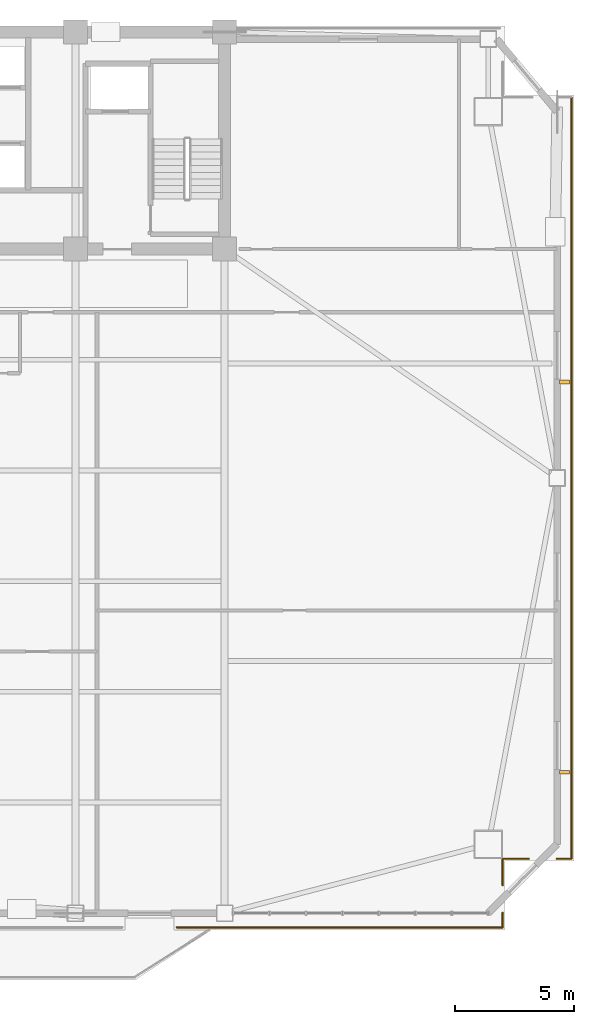
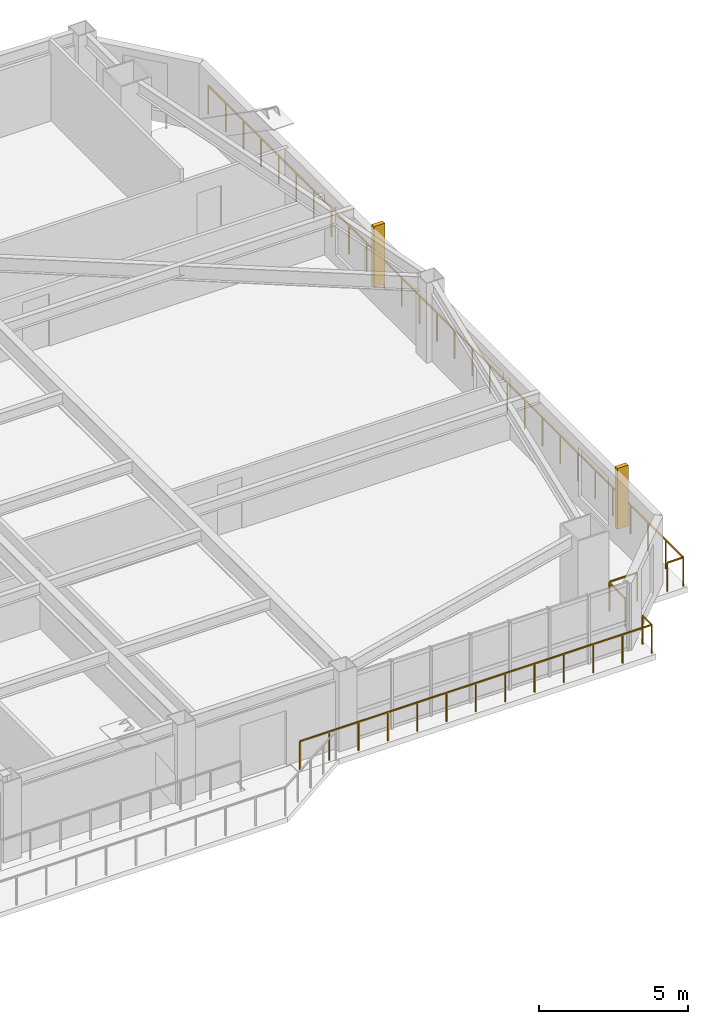
# One storey, part 13 of 15: 6 railings, 2 shading devices.
"""IFC4 building model written with IfcOpenShell, lengths in metres."""

from ifc_helpers import new_model, si_unit, direction, frame, origin, origin_2d, place, context, subcontext, project, spatial, rectangle, extrude, source, transform, mapped, material, type_object, element, save


model = new_model("IFC4")

# Units and contexts
model_context = context("Model", 3, precision=1e-05, world=origin(), true_north=direction((0.0, 1.0)))
body_context = subcontext(model_context, "Body", "Model", "MODEL_VIEW")
ifc_project = project(units=[si_unit("LENGTHUNIT", "METRE"), si_unit("AREAUNIT", "SQUARE_METRE"), si_unit("VOLUMEUNIT", "CUBIC_METRE"), si_unit("PLANEANGLEUNIT", "RADIAN"), si_unit("MASSUNIT", "GRAM", prefix="KILO")], contexts=[model_context])

# Site, building, storey
site_placement = place(None, origin())
site = spatial("IfcSite", under=ifc_project, at=site_placement, CompositionType="ELEMENT")
building_placement = place(site_placement, origin())
building = spatial("IfcBuilding", under=site, at=building_placement, Name="Giltprow Tower", CompositionType="ELEMENT")
storey_placement = place(building_placement, frame((0.0, 0.0, 170.199951171875)))
storey = spatial("IfcBuildingStorey", under=building, at=storey_placement, Name="L42", CompositionType="ELEMENT", Elevation=170.199951171875)

# Railings
ifc_material = material(Name="Anodized bronze", Category="metal")
railing_type = type_object("IfcRailingType", Name="RAIL-BALC-GUARD-1200", PredefinedType="BALUSTRADE", material=ifc_material)
railing_1_placement = place(storey_placement, frame((65.0810546875, 43.81298828125, 0.0)))
element("IfcRailing", 1, at=railing_1_placement, inside=storey, type_object=railing_type, Name="L42 Corner Apron Edge Balustrade 14", PredefinedType="BALUSTRADE", context=body_context, shape_type="SweptSolid", body=[
    extrude(rectangle(XDim=0.048095703125, YDim=0.048095703125, at=origin_2d()), frame((0.0, 0.0, 1.17578125), z_axis=(0.0, -1.0, 0.0), x_axis=(1.0, 0.0, 0.0)), (0.0, 0.0, 1.0), 31.89990234375),
    extrude(rectangle(XDim=0.0419921875, YDim=0.0419921875, at=origin_2d()), origin(), (0.0, 0.0, 1.0), 1.15185546875),
    extrude(rectangle(XDim=0.0419921875, YDim=0.0419921875, at=origin_2d()), frame((0.0, -1.181396484375, 0.0)), (0.0, 0.0, 1.0), 1.15185546875),
    extrude(rectangle(XDim=0.0419921875, YDim=0.0419921875, at=origin_2d()), frame((0.0, -2.363037109375, 0.0)), (0.0, 0.0, 1.0), 1.15185546875),
    extrude(rectangle(XDim=0.0419921875, YDim=0.0419921875, at=origin_2d()), frame((0.0, -3.54443359375, 0.0)), (0.0, 0.0, 1.0), 1.15185546875),
    extrude(rectangle(XDim=0.0419921875, YDim=0.0419921875, at=origin_2d()), frame((0.0, -4.725830078125, 0.0)), (0.0, 0.0, 1.0), 1.15185546875),
    extrude(rectangle(XDim=0.0419921875, YDim=0.0419921875, at=origin_2d()), frame((0.0, -5.907470703125, 0.0)), (0.0, 0.0, 1.0), 1.15185546875),
    extrude(rectangle(XDim=0.0419921875, YDim=0.0419921875, at=origin_2d()), frame((0.0, -7.0888671875, 0.0)), (0.0, 0.0, 1.0), 1.15185546875),
    extrude(rectangle(XDim=0.0419921875, YDim=0.0419921875, at=origin_2d()), frame((0.0, -8.270263671875, 0.0)), (0.0, 0.0, 1.0), 1.15185546875),
    extrude(rectangle(XDim=0.0419921875, YDim=0.0419921875, at=origin_2d()), frame((0.0, -9.451904296875, 0.0)), (0.0, 0.0, 1.0), 1.15185546875),
    extrude(rectangle(XDim=0.0419921875, YDim=0.0419921875, at=origin_2d()), frame((0.0, -10.63330078125, 0.0)), (0.0, 0.0, 1.0), 1.15185546875),
    extrude(rectangle(XDim=0.0419921875, YDim=0.0419921875, at=origin_2d()), frame((0.0, -11.814697265625, 0.0)), (0.0, 0.0, 1.0), 1.15185546875),
    extrude(rectangle(XDim=0.0419921875, YDim=0.0419921875, at=origin_2d()), frame((0.0, -12.996337890625, 0.0)), (0.0, 0.0, 1.0), 1.15185546875),
    extrude(rectangle(XDim=0.0419921875, YDim=0.0419921875, at=origin_2d()), frame((0.0, -14.177734375, 0.0)), (0.0, 0.0, 1.0), 1.15185546875),
    extrude(rectangle(XDim=0.0419921875, YDim=0.0419921875, at=origin_2d()), frame((0.0, -15.359130859375, 0.0)), (0.0, 0.0, 1.0), 1.15185546875),
    extrude(rectangle(XDim=0.0419921875, YDim=0.0419921875, at=origin_2d()), frame((0.0, -16.540771484375, 0.0)), (0.0, 0.0, 1.0), 1.15185546875),
    extrude(rectangle(XDim=0.0419921875, YDim=0.0419921875, at=origin_2d()), frame((0.0, -17.72216796875, 0.0)), (0.0, 0.0, 1.0), 1.15185546875),
    extrude(rectangle(XDim=0.0419921875, YDim=0.0419921875, at=origin_2d()), frame((0.0, -18.903564453125, 0.0)), (0.0, 0.0, 1.0), 1.15185546875),
    extrude(rectangle(XDim=0.0419921875, YDim=0.0419921875, at=origin_2d()), frame((0.0, -20.085205078125, 0.0)), (0.0, 0.0, 1.0), 1.15185546875),
    extrude(rectangle(XDim=0.0419921875, YDim=0.0419921875, at=origin_2d()), frame((0.0, -21.2666015625, 0.0)), (0.0, 0.0, 1.0), 1.15185546875),
    extrude(rectangle(XDim=0.0419921875, YDim=0.0419921875, at=origin_2d()), frame((0.0, -22.447998046875, 0.0)), (0.0, 0.0, 1.0), 1.15185546875),
    extrude(rectangle(XDim=0.0419921875, YDim=0.0419921875, at=origin_2d()), frame((0.0, -23.629638671875, 0.0)), (0.0, 0.0, 1.0), 1.15185546875),
    extrude(rectangle(XDim=0.0419921875, YDim=0.0419921875, at=origin_2d()), frame((0.0, -24.81103515625, 0.0)), (0.0, 0.0, 1.0), 1.15185546875),
    extrude(rectangle(XDim=0.0419921875, YDim=0.0419921875, at=origin_2d()), frame((0.0, -25.992431640625, 0.0)), (0.0, 0.0, 1.0), 1.15185546875),
    extrude(rectangle(XDim=0.0419921875, YDim=0.0419921875, at=origin_2d()), frame((0.0, -27.174072265625, 0.0)), (0.0, 0.0, 1.0), 1.15185546875),
    extrude(rectangle(XDim=0.0419921875, YDim=0.0419921875, at=origin_2d()), frame((0.0, -28.35546875, 0.0)), (0.0, 0.0, 1.0), 1.15185546875),
    extrude(rectangle(XDim=0.0419921875, YDim=0.0419921875, at=origin_2d()), frame((0.0, -29.536865234375, 0.0)), (0.0, 0.0, 1.0), 1.15185546875),
    extrude(rectangle(XDim=0.0419921875, YDim=0.0419921875, at=origin_2d()), frame((0.0, -30.718505859375, 0.0)), (0.0, 0.0, 1.0), 1.15185546875),
    extrude(rectangle(XDim=0.0419921875, YDim=0.0419921875, at=origin_2d()), frame((0.0, -31.89990234375, 0.0)), (0.0, 0.0, 1.0), 1.15185546875),
])
railing_2_placement = place(storey_placement, frame((65.0810546875, 11.9130859375, 0.0)))
element("IfcRailing", 2, at=railing_2_placement, inside=storey, type_object=railing_type, Name="L42 Corner Apron Edge Balustrade 15", PredefinedType="BALUSTRADE", context=body_context, shape_type="SweptSolid", body=[
    extrude(rectangle(XDim=0.048095703125, YDim=0.048095703125, at=origin_2d()), frame((0.0, 0.0, 1.17578125), z_axis=(-1.0, 0.0, 0.0), x_axis=(0.0, -1.0, 0.0)), (0.0, 0.0, 1.0), 0.6201171875),
    extrude(rectangle(XDim=0.0419921875, YDim=0.0419921875, at=origin_2d()), origin(), (0.0, 0.0, 1.0), 1.15185546875),
    extrude(rectangle(XDim=0.0419921875, YDim=0.0419921875, at=origin_2d()), frame((-0.6201171875, 0.0, 0.0)), (0.0, 0.0, 1.0), 1.15185546875),
])
railing_3_placement = place(storey_placement, frame((63.301025390625, 11.9130859375, 0.0)))
element("IfcRailing", 3, at=railing_3_placement, inside=storey, type_object=railing_type, Name="L42 Corner Apron Edge Balustrade 16", PredefinedType="BALUSTRADE", context=body_context, shape_type="SweptSolid", body=[
    extrude(rectangle(XDim=0.048095703125, YDim=0.048095703125, at=origin_2d()), frame((0.0, 0.0, 1.17578125), z_axis=(-1.0, 0.0, 0.0), x_axis=(0.0, -1.0, 0.0)), (0.0, 0.0, 1.0), 1.072021484375),
    extrude(rectangle(XDim=0.0419921875, YDim=0.0419921875, at=origin_2d()), origin(), (0.0, 0.0, 1.0), 1.15185546875),
    extrude(rectangle(XDim=0.0419921875, YDim=0.0419921875, at=origin_2d()), frame((-1.072021484375, 0.0, 0.0)), (0.0, 0.0, 1.0), 1.15185546875),
])
railing_4_placement = place(storey_placement, frame((62.194091796875, 11.8779296875, 0.0)))
element("IfcRailing", 4, at=railing_4_placement, inside=storey, type_object=railing_type, Name="L42 Corner Apron Edge Balustrade 17", PredefinedType="BALUSTRADE", context=body_context, shape_type="SweptSolid", body=[
    extrude(rectangle(XDim=0.048095703125, YDim=0.048095703125, at=origin_2d()), frame((0.0, 0.0, 1.17578125), z_axis=(0.0, -1.0, 0.0), x_axis=(1.0, 0.0, 0.0)), (0.0, 0.0, 1.0), 1.072021484375),
    extrude(rectangle(XDim=0.0419921875, YDim=0.0419921875, at=origin_2d()), origin(), (0.0, 0.0, 1.0), 1.15185546875),
    extrude(rectangle(XDim=0.0419921875, YDim=0.0419921875, at=origin_2d()), frame((0.0, -1.072021484375, 0.0)), (0.0, 0.0, 1.0), 1.15185546875),
])
railing_5_placement = place(storey_placement, frame((62.194091796875, 9.64599609375, 0.0)))
element("IfcRailing", 5, at=railing_5_placement, inside=storey, type_object=railing_type, Name="L42 Corner Apron Edge Balustrade 18", PredefinedType="BALUSTRADE", context=body_context, shape_type="SweptSolid", body=[
    extrude(rectangle(XDim=0.048095703125, YDim=0.048095703125, at=origin_2d()), frame((0.0, 0.0, 1.17578125), z_axis=(0.0, -1.0, 0.0), x_axis=(1.0, 0.0, 0.0)), (0.0, 0.0, 1.0), 0.6201171875),
    extrude(rectangle(XDim=0.0419921875, YDim=0.0419921875, at=origin_2d()), origin(), (0.0, 0.0, 1.0), 1.15185546875),
    extrude(rectangle(XDim=0.0419921875, YDim=0.0419921875, at=origin_2d()), frame((0.0, -0.6201171875, 0.0)), (0.0, 0.0, 1.0), 1.15185546875),
])
railing_6_placement = place(storey_placement, frame((62.194091796875, 9.02587890625, 0.0)))
element("IfcRailing", 6, at=railing_6_placement, inside=storey, type_object=railing_type, Name="L42 Corner Apron Edge Balustrade 19", PredefinedType="BALUSTRADE", context=body_context, shape_type="SweptSolid", body=[
    extrude(rectangle(XDim=0.048095703125, YDim=0.048095703125, at=origin_2d()), frame((0.0, 0.0, 1.17578125), z_axis=(-1.0, 0.0, 0.0), x_axis=(0.0, -1.0, 0.0)), (0.0, 0.0, 1.0), 13.64404296875),
    extrude(rectangle(XDim=0.0419921875, YDim=0.0419921875, at=origin_2d()), origin(), (0.0, 0.0, 1.0), 1.15185546875),
    extrude(rectangle(XDim=0.0419921875, YDim=0.0419921875, at=origin_2d()), frame((-1.136962890625, 0.0, 0.0)), (0.0, 0.0, 1.0), 1.15185546875),
    extrude(rectangle(XDim=0.0419921875, YDim=0.0419921875, at=origin_2d()), frame((-2.27392578125, 0.0, 0.0)), (0.0, 0.0, 1.0), 1.15185546875),
    extrude(rectangle(XDim=0.0419921875, YDim=0.0419921875, at=origin_2d()), frame((-3.4111328125, 0.0, 0.0)), (0.0, 0.0, 1.0), 1.15185546875),
    extrude(rectangle(XDim=0.0419921875, YDim=0.0419921875, at=origin_2d()), frame((-4.548095703125, 0.0, 0.0)), (0.0, 0.0, 1.0), 1.15185546875),
    extrude(rectangle(XDim=0.0419921875, YDim=0.0419921875, at=origin_2d()), frame((-5.68505859375, 0.0, 0.0)), (0.0, 0.0, 1.0), 1.15185546875),
    extrude(rectangle(XDim=0.0419921875, YDim=0.0419921875, at=origin_2d()), frame((-6.822021484375, 0.0, 0.0)), (0.0, 0.0, 1.0), 1.15185546875),
    extrude(rectangle(XDim=0.0419921875, YDim=0.0419921875, at=origin_2d()), frame((-7.958984375, 0.0, 0.0)), (0.0, 0.0, 1.0), 1.15185546875),
    extrude(rectangle(XDim=0.0419921875, YDim=0.0419921875, at=origin_2d()), frame((-9.095947265625, 0.0, 0.0)), (0.0, 0.0, 1.0), 1.15185546875),
    extrude(rectangle(XDim=0.0419921875, YDim=0.0419921875, at=origin_2d()), frame((-10.23291015625, 0.0, 0.0)), (0.0, 0.0, 1.0), 1.15185546875),
    extrude(rectangle(XDim=0.0419921875, YDim=0.0419921875, at=origin_2d()), frame((-11.3701171875, 0.0, 0.0)), (0.0, 0.0, 1.0), 1.15185546875),
    extrude(rectangle(XDim=0.0419921875, YDim=0.0419921875, at=origin_2d()), frame((-12.507080078125, 0.0, 0.0)), (0.0, 0.0, 1.0), 1.15185546875),
    extrude(rectangle(XDim=0.0419921875, YDim=0.0419921875, at=origin_2d()), frame((-13.64404296875, 0.0, 0.0)), (0.0, 0.0, 1.0), 1.15185546875),
])

# Shading devices
shading_device_type = type_object("IfcShadingDeviceType", Name="SHD-FIN-420", PredefinedType="USERDEFINED", material=ifc_material)
shared_shape = source(origin(), body_context, "Body", "SweptSolid", [
    extrude(rectangle(XDim=0.419921875, YDim=0.159912109375, at=origin_2d()), origin(), (0.0, 0.0, 1.0), 2.5),
])
for number, where, z_axis, x_axis, name in (
    (7, (64.781005859375, 15.532958984375, 0.35009765625), (0.0, 0.0, 1.0), (1.0, 0.0, 0.0), "L42 E Bronze Vertical Fin 1-1"),
    (8, (64.781005859375, 31.8779296875, 0.35009765625), (0.0, 0.0, 1.0), (1.0, 0.0, 0.0), "L42 E Bronze Vertical Fin 2-1"),
):
    element("IfcShadingDevice", number, at=place(storey_placement, frame(where, z_axis=z_axis, x_axis=x_axis)), inside=storey, type_object=shading_device_type, Name=name, ObjectType="FIN", PredefinedType="USERDEFINED", context=body_context, shape_type="MappedRepresentation", body=[
        mapped(shared_shape, transform((0.0, 0.0, 0.0), x_axis=(1.0, 0.0, 0.0), y_axis=(0.0, 1.0, 0.0), z_axis=(0.0, 0.0, 1.0), scale=1.0)),
    ])

save(model, "model.ifc")
